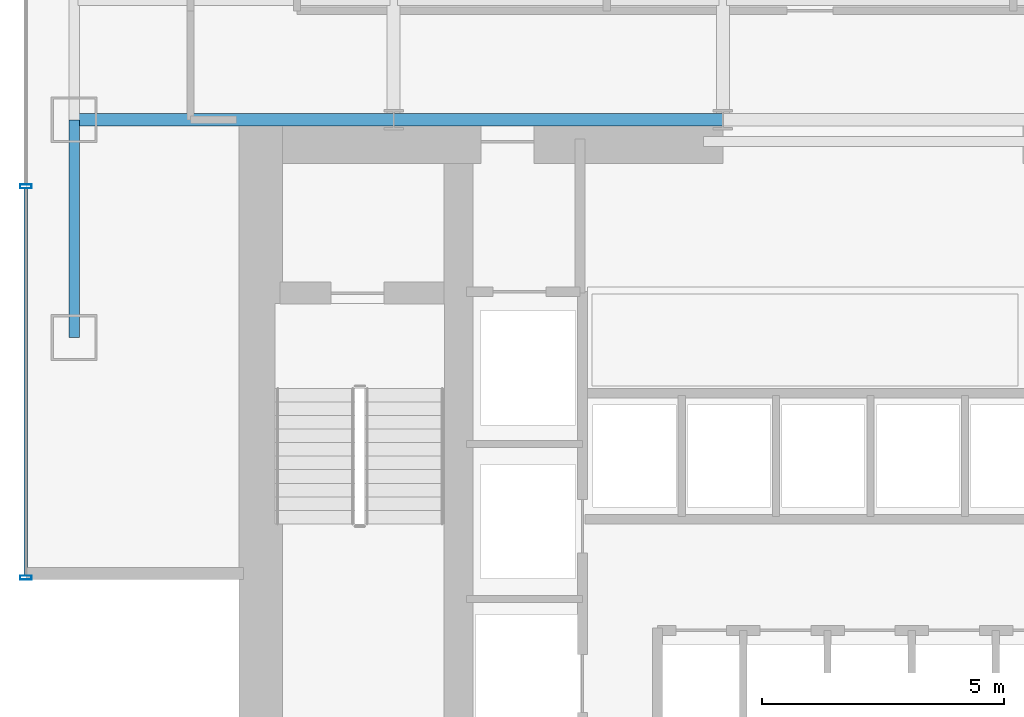
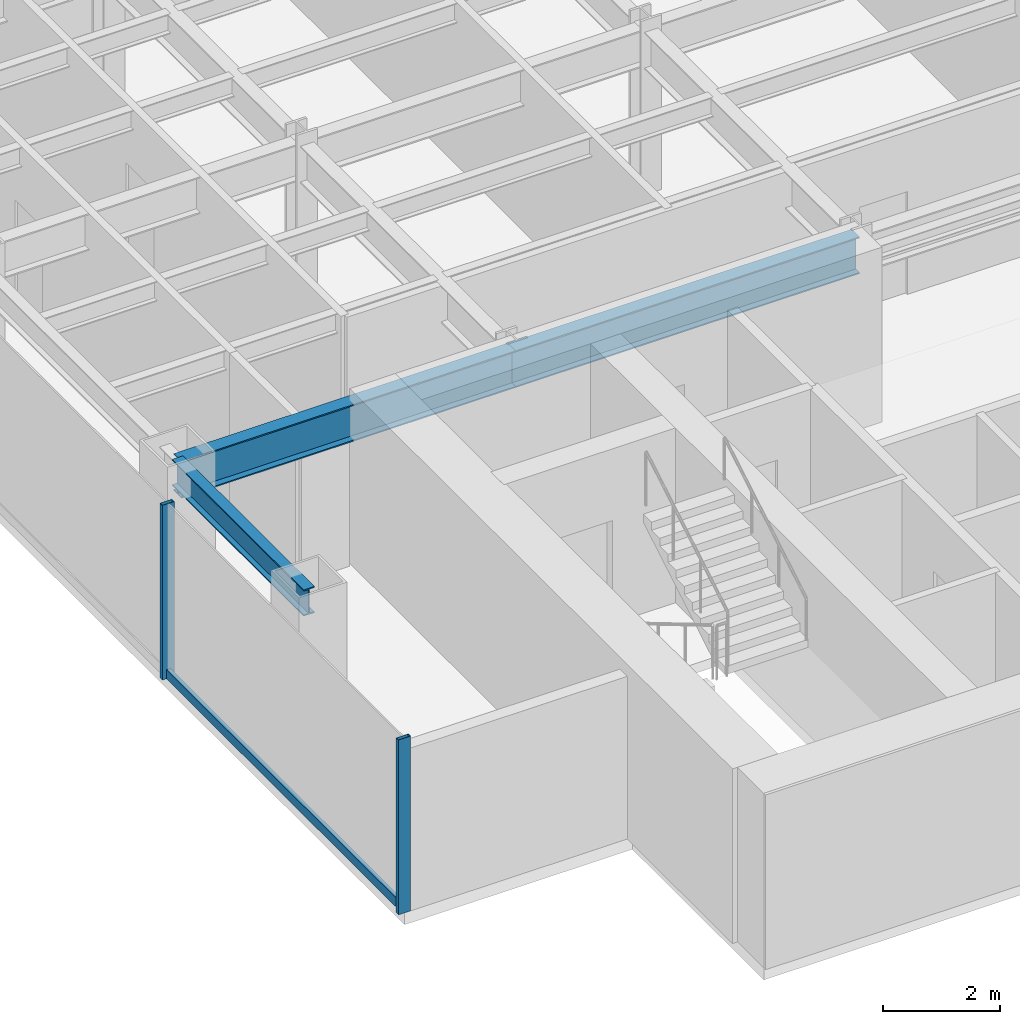
# One storey, part 2 of 22: 3 beams, 3 members, 1 element without a shape of its own.
"""IFC4 building model written with IfcOpenShell, lengths in metres."""

from ifc_helpers import new_model, si_unit, derived_unit, direction, frame, origin, origin_2d, place, context, subcontext, project, spatial, hollow_rectangle, i_section, extrude, source, transform, mapped, material, material_profile, profile_set, type_object, element, aggregate, save


model = new_model("IFC4")

# Units and contexts
model_context = context("Model", 3, precision=1e-05, world=origin(), true_north=direction((0.0, 1.0)))
body_context = subcontext(model_context, "Body", "Model", "MODEL_VIEW")
ifc_project = project(units=[si_unit("LENGTHUNIT", "METRE"), si_unit("AREAUNIT", "SQUARE_METRE"), si_unit("VOLUMEUNIT", "CUBIC_METRE"), si_unit("PLANEANGLEUNIT", "RADIAN"), si_unit("MASSUNIT", "GRAM", prefix="KILO"), derived_unit("THERMALTRANSMITTANCEUNIT", [(si_unit("POWERUNIT", "WATT"), 1), (si_unit("LENGTHUNIT", "METRE"), -2), (si_unit("THERMODYNAMICTEMPERATUREUNIT", "KELVIN"), -1)])], contexts=[model_context])

# Site, building, storey
site_placement = place(None, origin())
site = spatial("IfcSite", under=ifc_project, at=site_placement, CompositionType="ELEMENT")
building_placement = place(site_placement, origin())
building = spatial("IfcBuilding", under=site, at=building_placement, Name="Skarnbrae Concourse Arena and Tower", CompositionType="ELEMENT")
storey_placement = place(building_placement, frame((0.0, 0.0, 65.35009765625)))
storey = spatial("IfcBuildingStorey", under=building, at=storey_placement, Name="L15", CompositionType="ELEMENT", Elevation=65.35009765625)

# Beams
ifc_material_1 = material(Name="Steel CSA G40.21 350W", Category="steel")
ifc_material_profile_1 = material_profile(ifc_material_1, i_section(OverallWidth=0.26806640625, OverallDepth=0.77001953125, WebThickness=0.015625, FlangeThickness=0.025390625, at=origin_2d()), Name="W760X196")
ifc_profile_set_1 = profile_set([ifc_material_profile_1], Name="Steel CSA G40.21 350W")
beam_type_1 = type_object("IfcBeamType", Name="BM-GIRD-W760X196", PredefinedType="BEAM", material=ifc_profile_set_1)
shared_shape_1 = source(origin(), body_context, "Body", "SweptSolid", [
    extrude(i_section(OverallWidth=0.26806640625, OverallDepth=0.77001953125, WebThickness=0.015625, FlangeThickness=0.025390625, at=origin_2d()), origin(), (0.0, 0.0, 1.0), 6.60009765625),
])
beam_1_placement = place(storey_placement, frame((1.0, 14.0, 3.014892578125), z_axis=(1.0, 0.0, 0.0), x_axis=(0.0, 1.0, 0.0)))
element("IfcBeam", 1, at=beam_1_placement, inside=storey, type_object=beam_type_1, Name="L15 Primary E-W girder Y14.0-1", PredefinedType="BEAM", context=body_context, shape_type="MappedRepresentation", body=[
    mapped(shared_shape_1, transform((0.0, 0.0, 0.0))),
])
shared_shape_2 = source(origin(), body_context, "Body", "SweptSolid", [
    extrude(i_section(OverallWidth=0.26806640625, OverallDepth=0.77001953125, WebThickness=0.015625, FlangeThickness=0.025390625, at=origin_2d()), origin(), (0.0, 0.0, 1.0), 6.7998046875),
])
beam_2_placement = place(storey_placement, frame((7.60009765625, 14.0, 3.014892578125), z_axis=(1.0, 0.0, 0.0), x_axis=(0.0, 1.0, 0.0)))
element("IfcBeam", 2, at=beam_2_placement, inside=storey, type_object=beam_type_1, Name="L15 Primary E-W girder Y14.0-2", PredefinedType="BEAM", context=body_context, shape_type="MappedRepresentation", body=[
    mapped(shared_shape_2, transform((0.0, 0.0, 0.0))),
])
ifc_material_profile_2 = material_profile(ifc_material_1, i_section(OverallWidth=0.214111328125, OverallDepth=0.549072265625, WebThickness=0.0146484375, FlangeThickness=0.023681640625, at=origin_2d()), Name="W530X138")
ifc_profile_set_2 = profile_set([ifc_material_profile_2], Name="Steel CSA G40.21 350W")
beam_type_2 = type_object("IfcBeamType", Name="BM-SPAN-W530X138", PredefinedType="SPANDREL", material=ifc_profile_set_2)
shared_shape_3 = source(origin(), body_context, "Body", "SweptSolid", [
    extrude(i_section(OverallWidth=0.214111328125, OverallDepth=0.549072265625, WebThickness=0.0146484375, FlangeThickness=0.023681640625, at=origin_2d()), origin(), (0.0, 0.0, 1.0), 4.5),
])
beam_3_placement = place(storey_placement, frame((1.0, 9.5, 3.12548828125), z_axis=(0.0, 1.0, 0.0), x_axis=(-1.0, 0.0, 0.0)))
element("IfcBeam", 3, at=beam_3_placement, inside=storey, type_object=beam_type_2, Name="L15 Perimeter spandrel X1.0-1", PredefinedType="SPANDREL", context=body_context, shape_type="MappedRepresentation", body=[
    mapped(shared_shape_3, transform((0.0, 0.0, 0.0))),
])

# Curtain wall, members
ifc_material_2 = material(Name="Bronze anodised aluminium 6063-T6", Category="aluminium")
curtain_wall_type = type_object("IfcCurtainWallType", Name="CW-SYS-02-LOWZONE", PredefinedType="USERDEFINED", material=ifc_material_2)
curtain_wall_placement = place(storey_placement, origin())
curtain_wall = element("IfcCurtainWall", 4, at=curtain_wall_placement, inside=storey, type_object=curtain_wall_type, Name="L15 Unitised curtain wall CW-L15-E19", ObjectType="UNITISED CURTAIN WALL", PredefinedType="USERDEFINED")
ifc_material_profile_3 = material_profile(ifc_material_2, hollow_rectangle(XDim=0.080078125, YDim=0.239990234375, WallThickness=0.0048828125, at=origin_2d()), Name="ALU-MULL-80X240")
ifc_profile_set_3 = profile_set([ifc_material_profile_3], Name="Bronze anodised aluminium 6063-T6")
member_type_1 = type_object("IfcMemberType", Name="CWM-CW-02", PredefinedType="MULLION", material=ifc_profile_set_3)
shared_shape_4 = source(origin(), body_context, "Body", "SweptSolid", [
    extrude(hollow_rectangle(XDim=0.080078125, YDim=0.239990234375, WallThickness=0.0048828125, at=origin_2d()), origin(), (0.0, 0.0, 1.0), 3.64990234375),
])
member_1_placement = place(storey_placement, frame((0.0, 12.625, 0.0), z_axis=(0.0, 0.0, 1.0), x_axis=(0.0, -1.0, 0.0)))
member_1 = element("IfcMember", 5, at=member_1_placement, type_object=member_type_1, Name="CW-L15-E19 Mullion 4", PredefinedType="MULLION", context=body_context, shape_type="MappedRepresentation", body=[
    mapped(shared_shape_4, transform((0.0, 0.0, 0.0))),
])
member_2_placement = place(storey_placement, frame((0.0, 4.5400390625, 0.0), z_axis=(0.0, 0.0, 1.0), x_axis=(0.0, -1.0, 0.0)))
member_2 = element("IfcMember", 6, at=member_2_placement, type_object=member_type_1, Name="CW-L15-E19 Mullion 5", PredefinedType="MULLION", context=body_context, shape_type="MappedRepresentation", body=[
    mapped(shared_shape_4, transform((0.0, 0.0, 0.0))),
])
ifc_material_profile_4 = material_profile(ifc_material_2, hollow_rectangle(XDim=0.080078125, YDim=0.18994140625, WallThickness=0.0048828125, at=origin_2d()), Name="ALU-TRAN-80X190")
ifc_profile_set_4 = profile_set([ifc_material_profile_4], Name="Bronze anodised aluminium 6063-T6")
member_type_2 = type_object("IfcMemberType", Name="CWT-CW-02", PredefinedType="USERDEFINED", material=ifc_profile_set_4)
shared_shape_5 = source(origin(), body_context, "Body", "SweptSolid", [
    extrude(hollow_rectangle(XDim=0.080078125, YDim=0.18994140625, WallThickness=0.0048828125, at=origin_2d()), origin(), (0.0, 0.0, 1.0), 8.0048828125),
])
member_3_placement = place(storey_placement, frame((0.0, 12.5849609375, 0.094970703125), z_axis=(0.0, -1.0, 0.0), x_axis=(1.0, 0.0, 0.0)))
member_3 = element("IfcMember", 7, at=member_3_placement, type_object=member_type_2, Name="CW-L15-E19 Transom 4", ObjectType="TRANSOM", PredefinedType="USERDEFINED", context=body_context, shape_type="MappedRepresentation", body=[
    mapped(shared_shape_5, transform((0.0, 0.0, 0.0))),
])
aggregate(curtain_wall, [member_1, member_2, member_3])

save(model, "model.ifc")
